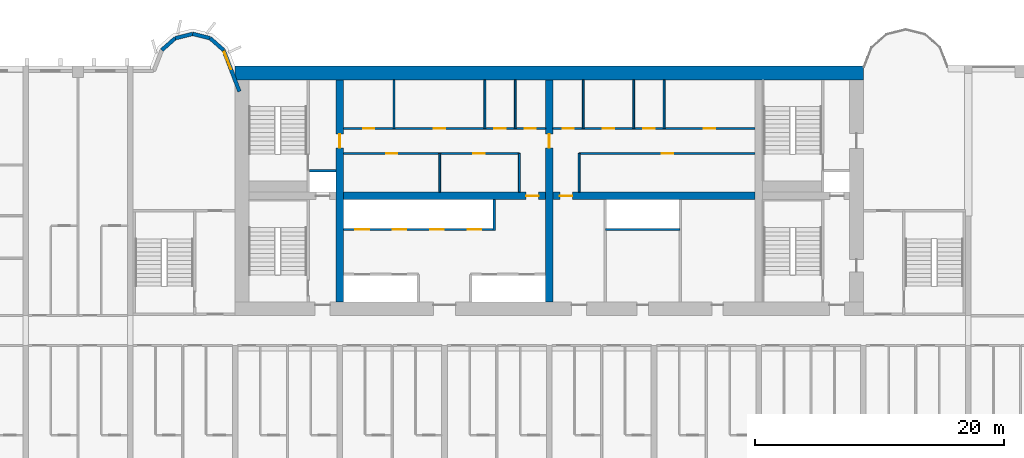
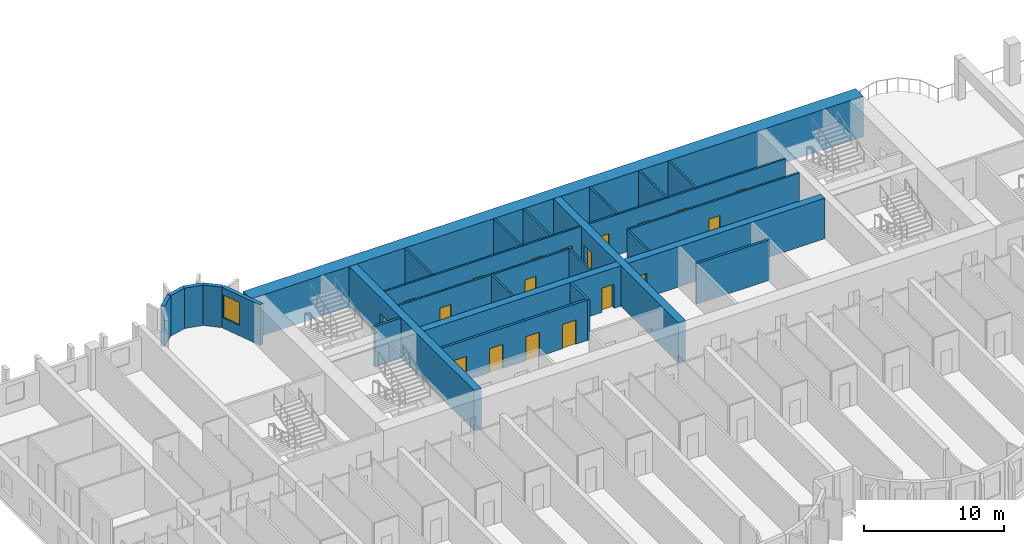
# One storey, part 7 of 14: 27 walls, 19 doors, 1 window, 20 openings.
"""IFC4 building model written with IfcOpenShell, lengths in metres."""

from ifc_helpers import new_model, si_unit, direction, frame, frame_2d, origin, place, context, subcontext, project, spatial, rectangle, extrude, source, transform, mapped, material, layer, layer_set, type_object, element, fill, save


model = new_model("IFC4")

# Units and contexts
model_context = context("Model", 3, precision=1e-05, world=origin(), true_north=direction((0.0, 1.0)))
body_context = subcontext(model_context, "Body", "Model", "MODEL_VIEW")
ifc_project = project(units=[si_unit("LENGTHUNIT", "METRE"), si_unit("AREAUNIT", "SQUARE_METRE"), si_unit("VOLUMEUNIT", "CUBIC_METRE"), si_unit("PLANEANGLEUNIT", "RADIAN"), si_unit("MASSUNIT", "GRAM", prefix="KILO")], contexts=[model_context])

# Site, building, storey
site_placement = place(None, origin())
site = spatial("IfcSite", under=ifc_project, at=site_placement, CompositionType="ELEMENT")
building_placement = place(site_placement, origin())
building = spatial("IfcBuilding", under=site, at=building_placement, Name="Vanashikhar Sky Hotel", CompositionType="ELEMENT")
storey_placement = place(building_placement, frame((0.0, 0.0, 27.800048828125)))
storey = spatial("IfcBuildingStorey", under=building, at=storey_placement, Name="L05", CompositionType="ELEMENT", Elevation=27.800048828125)

# Wall
ifc_material_1 = material(Name="Concrete M80", Category="concrete")
ifc_layer_1 = layer(ifc_material_1, 1.10009765625)
ifc_layer_set_1 = layer_set([ifc_layer_1], Name="RC core shell wall 1100 Concrete M80")
wall_type_1 = type_object("IfcWallType", Name="RC core shell wall 1100 Concrete M80", PredefinedType="SHEAR", material=ifc_layer_set_1)
shared_shape_1 = source(origin(), body_context, "Body", "SweptSolid", [
    extrude(rectangle(XDim=50.400146484375, YDim=1.10009765625, at=frame_2d((25.2001953125, 0.0))), origin(), (0.0, 0.0, 1.0), 3.52001953125),
])
wall_1_placement = place(storey_placement, frame((25.199951171875, 41.449951171875, 0.0), z_axis=(0.0, 0.0, 1.0), x_axis=(1.0, 0.0, 0.0)))
element("IfcWall", 1, at=wall_1_placement, inside=storey, type_object=wall_type_1, Name="KW-L05-KN", PredefinedType="SHEAR", context=body_context, shape_type="MappedRepresentation", body=[
    mapped(shared_shape_1, transform((0.0, 0.0, 0.0), scale=1.0)),
])

# Wall, opening, door
ifc_layer_2 = layer(ifc_material_1, 0.60009765625)
ifc_layer_set_2 = layer_set([ifc_layer_2], Name="RC core inner wall 600 Concrete M80")
wall_type_2 = type_object("IfcWallType", Name="RC core inner wall 600 Concrete M80", PredefinedType="SHEAR", material=ifc_layer_set_2)
shared_shape_2 = source(origin(), body_context, "Body", "SweptSolid", [
    extrude(rectangle(XDim=17.7998046875, YDim=0.60009765625, at=frame_2d((8.89990234375, 0.0))), origin(), (0.0, 0.0, 1.0), 3.52001953125),
])
wall_2_placement = place(storey_placement, frame((33.60009765625, 23.10009765625, 0.0), z_axis=(0.0, 0.0, 1.0), x_axis=(0.0, 1.0, 0.0)))
wall_2 = element("IfcWall", 2, at=wall_2_placement, inside=storey, type_object=wall_type_2, Name="KW-L05-KX1", PredefinedType="SHEAR", context=body_context, shape_type="MappedRepresentation", body=[
    mapped(shared_shape_2, transform((0.0, 0.0, 0.0), scale=1.0)),
])
shared_shape_3 = source(origin(), body_context, "Body", "SweptSolid", [
    extrude(rectangle(XDim=1.10009765625, YDim=2.10009765625, at=frame_2d((0.550048828125, 1.050048828125))), frame((0.0, 0.31005859375, 0.0), z_axis=(0.0, -1.0, 0.0), x_axis=(1.0, 0.0, 0.0)), (0.0, 0.0, 1.0), 0.6201171875),
])
opening_1_placement = place(wall_2_placement, frame((12.35009765625, 0.0, 0.0)))
opening_1 = element("IfcOpeningElement", 3, at=opening_1_placement, cuts=wall_2, Name="Opening DC-4-C", PredefinedType="OPENING", context=body_context, shape_type="MappedRepresentation", body=[
    mapped(shared_shape_3, transform((0.0, 0.0, 0.0), scale=1.0)),
])
ifc_material_2 = material(Name="Steel", Category="steel")
door_type_1 = type_object("IfcDoorType", Name="Service door 1100 FD60", OperationType="NOTDEFINED", PredefinedType="DOOR", material=ifc_material_2)
shared_shape_4 = source(origin(), body_context, "Body", "SweptSolid", [
    extrude(rectangle(XDim=1.10009765625, YDim=2.10009765625, at=frame_2d((0.550048828125, 1.050048828125))), frame((0.0, 0.02490234375, 0.0), z_axis=(0.0, -1.0, 0.0), x_axis=(1.0, 0.0, 0.0)), (0.0, 0.0, 1.0), 0.050048828125),
])
door_1_placement = place(opening_1_placement, origin())
door_1 = element("IfcDoor", 4, at=door_1_placement, inside=storey, type_object=door_type_1, Name="Service door 1100 FD60", OperationType="SINGLE_SWING_RIGHT", OverallHeight=2.10009765625, OverallWidth=1.10009765625, PredefinedType="DOOR", context=body_context, shape_type="MappedRepresentation", body=[
    mapped(shared_shape_4, transform((0.0, 0.0, 0.0), scale=1.0)),
])
fill(opening_1, door_1)

wall_3_placement = place(storey_placement, frame((50.39990234375, 23.10009765625, 0.0), z_axis=(0.0, 0.0, 1.0), x_axis=(0.0, 1.0, 0.0)))
wall_3 = element("IfcWall", 5, at=wall_3_placement, inside=storey, type_object=wall_type_2, Name="KW-L05-KX2", PredefinedType="SHEAR", context=body_context, shape_type="MappedRepresentation", body=[
    mapped(shared_shape_2, transform((0.0, 0.0, 0.0), scale=1.0)),
])
opening_2_placement = place(wall_3_placement, frame((12.35009765625, 0.0, 0.0)))
opening_2 = element("IfcOpeningElement", 6, at=opening_2_placement, cuts=wall_3, Name="Opening DC-4-C", PredefinedType="OPENING", context=body_context, shape_type="MappedRepresentation", body=[
    mapped(shared_shape_3, transform((0.0, 0.0, 0.0), scale=1.0)),
])
door_2_placement = place(opening_2_placement, origin())
door_2 = element("IfcDoor", 7, at=door_2_placement, inside=storey, type_object=door_type_1, Name="Service door 1100 FD60", OperationType="SINGLE_SWING_LEFT", OverallHeight=2.10009765625, OverallWidth=1.10009765625, PredefinedType="DOOR", context=body_context, shape_type="MappedRepresentation", body=[
    mapped(shared_shape_4, transform((0.0, 0.0, 0.0), scale=1.0)),
])
fill(opening_2, door_2)

shared_shape_5 = source(origin(), body_context, "Body", "SweptSolid", [
    extrude(rectangle(XDim=16.2001953125, YDim=0.60009765625, at=frame_2d((8.10009765625, 0.0))), origin(), (0.0, 0.0, 1.0), 3.52001953125),
])
wall_4_placement = place(storey_placement, frame((33.89990234375, 31.60009765625, 0.0), z_axis=(0.0, 0.0, 1.0), x_axis=(1.0, 0.0, 0.0)))
wall_4 = element("IfcWall", 8, at=wall_4_placement, inside=storey, type_object=wall_type_2, Name="KW-L05-KY2", PredefinedType="SHEAR", context=body_context, shape_type="MappedRepresentation", body=[
    mapped(shared_shape_5, transform((0.0, 0.0, 0.0), scale=1.0)),
])
shared_shape_6 = source(origin(), body_context, "Body", "SweptSolid", [
    extrude(rectangle(XDim=1.0, YDim=2.10009765625, at=frame_2d((0.5, 1.050048828125))), frame((0.0, 0.31005859375, 0.0), z_axis=(0.0, -1.0, 0.0), x_axis=(1.0, 0.0, 0.0)), (0.0, 0.0, 1.0), 0.6201171875),
])
opening_3_placement = place(wall_4_placement, frame((14.64990234375, 0.0, 0.0)))
opening_3 = element("IfcOpeningElement", 9, at=opening_3_placement, cuts=wall_4, Name="Opening DC-4", PredefinedType="OPENING", context=body_context, shape_type="MappedRepresentation", body=[
    mapped(shared_shape_6, transform((0.0, 0.0, 0.0), scale=1.0)),
])
door_type_2 = type_object("IfcDoorType", Name="Service door 1000 FD60", OperationType="NOTDEFINED", PredefinedType="DOOR", material=ifc_material_2)
shared_shape_7 = source(origin(), body_context, "Body", "SweptSolid", [
    extrude(rectangle(XDim=1.0, YDim=2.10009765625, at=frame_2d((0.5, 1.050048828125))), frame((0.0, 0.02490234375, 0.0), z_axis=(0.0, -1.0, 0.0), x_axis=(1.0, 0.0, 0.0)), (0.0, 0.0, 1.0), 0.050048828125),
])
door_3_placement = place(opening_3_placement, origin())
door_3 = element("IfcDoor", 10, at=door_3_placement, inside=storey, type_object=door_type_2, Name="Service door 1000 FD60", OperationType="SINGLE_SWING_RIGHT", OverallHeight=2.10009765625, OverallWidth=1.0, PredefinedType="DOOR", context=body_context, shape_type="MappedRepresentation", body=[
    mapped(shared_shape_7, transform((0.0, 0.0, 0.0), scale=1.0)),
])
fill(opening_3, door_3)

shared_shape_8 = source(origin(), body_context, "Body", "SweptSolid", [
    extrude(rectangle(XDim=16.199951171875, YDim=0.60009765625, at=frame_2d((8.10009765625, 0.0))), origin(), (0.0, 0.0, 1.0), 3.52001953125),
])
wall_5_placement = place(storey_placement, frame((50.699951171875, 31.60009765625, 0.0), z_axis=(0.0, 0.0, 1.0), x_axis=(1.0, 0.0, 0.0)))
wall_5 = element("IfcWall", 11, at=wall_5_placement, inside=storey, type_object=wall_type_2, Name="KW-L05-KY3", PredefinedType="SHEAR", context=body_context, shape_type="MappedRepresentation", body=[
    mapped(shared_shape_8, transform((0.0, 0.0, 0.0), scale=1.0)),
])
opening_4_placement = place(wall_5_placement, frame((0.550048828125, 0.0, 0.0)))
opening_4 = element("IfcOpeningElement", 12, at=opening_4_placement, cuts=wall_5, Name="Opening DC-4", PredefinedType="OPENING", context=body_context, shape_type="MappedRepresentation", body=[
    mapped(shared_shape_6, transform((0.0, 0.0, 0.0), scale=1.0)),
])
door_4_placement = place(opening_4_placement, origin())
door_4 = element("IfcDoor", 13, at=door_4_placement, inside=storey, type_object=door_type_2, Name="Service door 1000 FD60", OperationType="SINGLE_SWING_RIGHT", OverallHeight=2.10009765625, OverallWidth=1.0, PredefinedType="DOOR", context=body_context, shape_type="MappedRepresentation", body=[
    mapped(shared_shape_7, transform((0.0, 0.0, 0.0), scale=1.0)),
])
fill(opening_4, door_4)

# Wall, opening, window
ifc_material_3 = material(Name="Concrete M50", Category="concrete")
ifc_layer_3 = layer(ifc_material_3, 0.300048828125)
ifc_layer_set_3 = layer_set([ifc_layer_3], Name="Lobe wall 300")
wall_type_3 = type_object("IfcWallType", Name="Lobe wall 300", PredefinedType="SOLIDWALL", material=ifc_layer_set_3)
shared_shape_9 = source(origin(), body_context, "Body", "SweptSolid", [
    extrude(rectangle(XDim=3.55908203125, YDim=0.300048828125, at=frame_2d((1.779541015625, 0.0))), origin(), (0.0, 0.0, 1.0), 3.52001953125),
])
wall_6_placement = place(storey_placement, frame((25.550048828125, 39.968505859375, 0.0), z_axis=(0.0, 0.0, 1.0), x_axis=(-0.35779745313, 0.933799219604, 0.0)))
wall_6 = element("IfcWall", 14, at=wall_6_placement, inside=storey, type_object=wall_type_3, Name="Lobe wall", PredefinedType="SOLIDWALL", context=body_context, shape_type="MappedRepresentation", body=[
    mapped(shared_shape_9, transform((0.0, 0.0, 0.0), scale=1.0)),
])
shared_shape_10 = source(origin(), body_context, "Body", "SweptSolid", [
    extrude(rectangle(XDim=1.5, YDim=2.0, at=frame_2d((0.75, 1.0))), frame((0.0, 0.16015625, 0.0), z_axis=(0.0, -1.0, 0.0), x_axis=(1.0, 0.0, 0.0)), (0.0, 0.0, 1.0), 0.320068359375),
])
opening_5_placement = place(wall_6_placement, frame((1.9033203125, 0.0, 0.89990234375)))
opening_5 = element("IfcOpeningElement", 15, at=opening_5_placement, cuts=wall_6, Name="Opening WN-2", PredefinedType="OPENING", context=body_context, shape_type="MappedRepresentation", body=[
    mapped(shared_shape_10, transform((0.0, 0.0, 0.0), scale=1.0)),
])
ifc_material_4 = material(Name="Glass", Category="glass")
window_type = type_object("IfcWindowType", Name="Lobe window 1500 x 2000", PartitioningType="SINGLE_PANEL", PredefinedType="WINDOW", material=ifc_material_4)
shared_shape_11 = source(origin(), body_context, "Body", "SweptSolid", [
    extrude(rectangle(XDim=1.5, YDim=2.0, at=frame_2d((0.75, 1.0))), frame((0.0, 0.030029296875, 0.0), z_axis=(0.0, -1.0, 0.0), x_axis=(1.0, 0.0, 0.0)), (0.0, 0.0, 1.0), 0.06005859375),
])
window_placement = place(opening_5_placement, origin())
window = element("IfcWindow", 16, at=window_placement, inside=storey, type_object=window_type, Name="Window WN-2", OverallHeight=2.0, OverallWidth=1.5, PartitioningType="SINGLE_PANEL", PredefinedType="WINDOW", context=body_context, shape_type="MappedRepresentation", body=[
    mapped(shared_shape_11, transform((0.0, 0.0, 0.0), scale=1.0)),
])
fill(opening_5, window)

# Walls
shared_shape_12 = source(origin(), body_context, "Body", "SweptSolid", [
    extrude(rectangle(XDim=1.440185546875, YDim=0.300048828125, at=frame_2d((0.72021484375, 0.0))), origin(), (0.0, 0.0, 1.0), 3.52001953125),
])
wall_7_placement = place(storey_placement, frame((24.276611328125, 43.2919921875, 0.0), z_axis=(0.0, 0.0, 1.0), x_axis=(-0.749649827867, 0.661834673902, 0.0)))
element("IfcWall", 17, at=wall_7_placement, inside=storey, type_object=wall_type_3, Name="Lobe wall", PredefinedType="SOLIDWALL", context=body_context, shape_type="MappedRepresentation", body=[
    mapped(shared_shape_12, transform((0.0, 0.0, 0.0), scale=1.0)),
])
shared_shape_13 = source(origin(), body_context, "Body", "SweptSolid", [
    extrude(rectangle(XDim=1.4384765625, YDim=0.300048828125, at=frame_2d((0.71923828125, 0.0))), origin(), (0.0, 0.0, 1.0), 3.52001953125),
])
wall_8_placement = place(storey_placement, frame((23.197021484375, 44.2451171875, 0.0), z_axis=(0.0, 0.0, 1.0), x_axis=(-0.971152283879, 0.238460146601, 0.0)))
element("IfcWall", 18, at=wall_8_placement, inside=storey, type_object=wall_type_3, Name="Lobe wall", PredefinedType="SOLIDWALL", context=body_context, shape_type="MappedRepresentation", body=[
    mapped(shared_shape_13, transform((0.0, 0.0, 0.0), scale=1.0)),
])
shared_shape_14 = source(origin(), body_context, "Body", "SweptSolid", [
    extrude(rectangle(XDim=1.438720703125, YDim=0.300048828125, at=frame_2d((0.71923828125, 0.0))), origin(), (0.0, 0.0, 1.0), 3.52001953125),
])
wall_9_placement = place(storey_placement, frame((21.800048828125, 44.588134765625, 0.0), z_axis=(0.0, 0.0, 1.0), x_axis=(-0.971161932466, -0.238420848351, 0.0)))
element("IfcWall", 19, at=wall_9_placement, inside=storey, type_object=wall_type_3, Name="Lobe wall", PredefinedType="SOLIDWALL", context=body_context, shape_type="MappedRepresentation", body=[
    mapped(shared_shape_14, transform((0.0, 0.0, 0.0), scale=1.0)),
])
shared_shape_15 = source(origin(), body_context, "Body", "SweptSolid", [
    extrude(rectangle(XDim=1.43994140625, YDim=0.300048828125, at=frame_2d((0.719970703125, 0.0))), origin(), (0.0, 0.0, 1.0), 3.52001953125),
])
wall_10_placement = place(storey_placement, frame((20.40283203125, 44.2451171875, 0.0), z_axis=(0.0, 0.0, 1.0), x_axis=(-0.74957555648, -0.661918790432, 0.0)))
element("IfcWall", 20, at=wall_10_placement, inside=storey, type_object=wall_type_3, Name="Lobe wall", PredefinedType="SOLIDWALL", context=body_context, shape_type="MappedRepresentation", body=[
    mapped(shared_shape_15, transform((0.0, 0.0, 0.0), scale=1.0)),
])
ifc_material_5 = material(Name="Concrete M40", Category="concrete")
ifc_layer_4 = layer(ifc_material_5, 0.199951171875)
ifc_layer_set_4 = layer_set([ifc_layer_4], Name="Shaft wall 200")
wall_type_4 = type_object("IfcWallType", Name="Shaft wall 200", PredefinedType="SOLIDWALL", material=ifc_layer_set_4)
shared_shape_16 = source(origin(), body_context, "Body", "SweptSolid", [
    extrude(rectangle(XDim=6.0, YDim=0.199951171875, at=frame_2d((3.0, 0.0))), origin(), (0.0, 0.0, 1.0), 3.52001953125),
])
wall_11_placement = place(storey_placement, frame((60.89990234375, 28.89990234375, 0.0), z_axis=(0.0, 0.0, 1.0), x_axis=(-1.0, 0.0, 0.0)))
element("IfcWall", 21, at=wall_11_placement, inside=storey, type_object=wall_type_4, Name="Shaft wall 200", PredefinedType="SOLIDWALL", context=body_context, shape_type="MappedRepresentation", body=[
    mapped(shared_shape_16, transform((0.0, 0.0, 0.0), scale=1.0)),
])

# Wall, openings, doors
shared_shape_17 = source(origin(), body_context, "Body", "SweptSolid", [
    extrude(rectangle(XDim=12.0, YDim=0.199951171875, at=frame_2d((6.0, 0.0))), origin(), (0.0, 0.0, 1.0), 3.52001953125),
])
wall_12_placement = place(storey_placement, frame((33.89990234375, 28.89990234375, 0.0), z_axis=(0.0, 0.0, 1.0), x_axis=(1.0, 0.0, 0.0)))
wall_12 = element("IfcWall", 22, at=wall_12_placement, inside=storey, type_object=wall_type_4, Name="Shaft wall 200", PredefinedType="SOLIDWALL", context=body_context, shape_type="MappedRepresentation", body=[
    mapped(shared_shape_17, transform((0.0, 0.0, 0.0), scale=1.0)),
])
shared_shape_18 = source(origin(), body_context, "Body", "SweptSolid", [
    extrude(rectangle(XDim=1.10009765625, YDim=2.10009765625, at=frame_2d((0.550048828125, 1.050048828125))), frame((0.0, 0.10986328125, 0.0), z_axis=(0.0, -1.0, 0.0), x_axis=(1.0, 0.0, 0.0)), (0.0, 0.0, 1.0), 0.219970703125),
])
opening_6_placement = place(wall_12_placement, frame((0.949951171875, 0.0, 0.0)))
opening_6 = element("IfcOpeningElement", 23, at=opening_6_placement, cuts=wall_12, Name="Opening LD", PredefinedType="OPENING", context=body_context, shape_type="MappedRepresentation", body=[
    mapped(shared_shape_18, transform((0.0, 0.0, 0.0), scale=1.0)),
])
opening_7_placement = place(wall_12_placement, frame((3.949951171875, 0.0, 0.0)))
opening_7 = element("IfcOpeningElement", 24, at=opening_7_placement, cuts=wall_12, Name="Opening LD", PredefinedType="OPENING", context=body_context, shape_type="MappedRepresentation", body=[
    mapped(shared_shape_18, transform((0.0, 0.0, 0.0), scale=1.0)),
])
opening_8_placement = place(wall_12_placement, frame((6.949951171875, 0.0, 0.0)))
opening_8 = element("IfcOpeningElement", 25, at=opening_8_placement, cuts=wall_12, Name="Opening LD", PredefinedType="OPENING", context=body_context, shape_type="MappedRepresentation", body=[
    mapped(shared_shape_18, transform((0.0, 0.0, 0.0), scale=1.0)),
])
opening_9_placement = place(wall_12_placement, frame((9.949951171875, 0.0, 0.0)))
opening_9 = element("IfcOpeningElement", 26, at=opening_9_placement, cuts=wall_12, Name="Opening LD", PredefinedType="OPENING", context=body_context, shape_type="MappedRepresentation", body=[
    mapped(shared_shape_18, transform((0.0, 0.0, 0.0), scale=1.0)),
])
ifc_material_6 = material(Name="Stainless steel", Category="steel")
door_type_3 = type_object("IfcDoorType", Name="Lift landing door 1100", OperationType="NOTDEFINED", PredefinedType="DOOR", material=ifc_material_6)
door_5_placement = place(opening_6_placement, origin())
door_5 = element("IfcDoor", 27, at=door_5_placement, inside=storey, type_object=door_type_3, Name="Lift landing door 1100", OperationType="SLIDING_TO_LEFT", OverallHeight=2.10009765625, OverallWidth=1.10009765625, PredefinedType="DOOR", context=body_context, shape_type="MappedRepresentation", body=[
    mapped(shared_shape_4, transform((0.0, 0.0, 0.0), scale=1.0)),
])
fill(opening_6, door_5)
door_6_placement = place(opening_7_placement, origin())
door_6 = element("IfcDoor", 28, at=door_6_placement, inside=storey, type_object=door_type_3, Name="Lift landing door 1100", OperationType="SLIDING_TO_RIGHT", OverallHeight=2.10009765625, OverallWidth=1.10009765625, PredefinedType="DOOR", context=body_context, shape_type="MappedRepresentation", body=[
    mapped(shared_shape_4, transform((0.0, 0.0, 0.0), scale=1.0)),
])
fill(opening_7, door_6)
door_7_placement = place(opening_8_placement, origin())
door_7 = element("IfcDoor", 29, at=door_7_placement, inside=storey, type_object=door_type_3, Name="Lift landing door 1100", OperationType="SLIDING_TO_LEFT", OverallHeight=2.10009765625, OverallWidth=1.10009765625, PredefinedType="DOOR", context=body_context, shape_type="MappedRepresentation", body=[
    mapped(shared_shape_4, transform((0.0, 0.0, 0.0), scale=1.0)),
])
fill(opening_8, door_7)
door_8_placement = place(opening_9_placement, origin())
door_8 = element("IfcDoor", 30, at=door_8_placement, inside=storey, type_object=door_type_3, Name="Lift landing door 1100", OperationType="SLIDING_TO_RIGHT", OverallHeight=2.10009765625, OverallWidth=1.10009765625, PredefinedType="DOOR", context=body_context, shape_type="MappedRepresentation", body=[
    mapped(shared_shape_4, transform((0.0, 0.0, 0.0), scale=1.0)),
])
fill(opening_9, door_8)

# Walls
shared_shape_19 = source(origin(), body_context, "Body", "SweptSolid", [
    extrude(rectangle(XDim=2.5, YDim=0.199951171875, at=frame_2d((1.25, 0.0))), origin(), (0.0, 0.0, 1.0), 3.52001953125),
])
wall_13_placement = place(storey_placement, frame((46.0, 28.800048828125, 0.0), z_axis=(0.0, 0.0, 1.0), x_axis=(0.0, 1.0, 0.0)))
element("IfcWall", 31, at=wall_13_placement, inside=storey, type_object=wall_type_4, Name="Shaft wall 200", PredefinedType="SOLIDWALL", context=body_context, shape_type="MappedRepresentation", body=[
    mapped(shared_shape_19, transform((0.0, 0.0, 0.0), scale=1.0)),
])
ifc_material_7 = material(Name="Gypsum board partition")
ifc_layer_5 = layer(ifc_material_7, 0.14990234375)
ifc_layer_set_5 = layer_set([ifc_layer_5], Name="Service partition 150")
wall_type_5 = type_object("IfcWallType", Name="Service partition 150", PredefinedType="PARTITIONING", material=ifc_layer_set_5)
shared_shape_20 = source(origin(), body_context, "Body", "SweptSolid", [
    extrude(rectangle(XDim=3.10009765625, YDim=0.14990234375, at=frame_2d((1.550048828125, 0.0))), origin(), (0.0, 0.0, 1.0), 3.52001953125),
])
for number, where, z_axis, x_axis, name in (
    (32, (48.0, 31.89990234375, 0.0), (0.0, 0.0, 1.0), (0.0, 1.0, 0.0), "Service partition 150"),
    (33, (41.614013671875, 31.89990234375, 0.0), (0.0, 0.0, 1.0), (0.0, 1.0, 0.0), "Service partition 150"),
    (34, (52.800048828125, 31.89990234375, 0.0), (0.0, 0.0, 1.0), (0.0, 1.0, 0.0), "Service partition 150"),
):
    element("IfcWall", number, at=place(storey_placement, frame(where, z_axis=z_axis, x_axis=x_axis)), inside=storey, type_object=wall_type_5, Name=name, PredefinedType="PARTITIONING", context=body_context, shape_type="MappedRepresentation", body=[
        mapped(shared_shape_20, transform((0.0, 0.0, 0.0), scale=1.0)),
    ])

# Wall, openings, doors
shared_shape_21 = source(origin(), body_context, "Body", "SweptSolid", [
    extrude(rectangle(XDim=14.10009765625, YDim=0.14990234375, at=frame_2d((7.050048828125, 0.0))), origin(), (0.0, 0.0, 1.0), 3.52001953125),
])
wall_14_placement = place(storey_placement, frame((33.89990234375, 35.0, 0.0), z_axis=(0.0, 0.0, 1.0), x_axis=(1.0, 0.0, 0.0)))
wall_14 = element("IfcWall", 35, at=wall_14_placement, inside=storey, type_object=wall_type_5, Name="Service partition 150", PredefinedType="PARTITIONING", context=body_context, shape_type="MappedRepresentation", body=[
    mapped(shared_shape_21, transform((0.0, 0.0, 0.0), scale=1.0)),
])
shared_shape_22 = source(origin(), body_context, "Body", "SweptSolid", [
    extrude(rectangle(XDim=0.89990234375, YDim=2.10009765625, at=frame_2d((0.449951171875, 1.050048828125))), frame((0.0, 0.0849609375, 0.0), z_axis=(0.0, -1.0, 0.0), x_axis=(1.0, 0.0, 0.0)), (0.0, 0.0, 1.0), 0.169921875),
])
opening_10_placement = place(wall_14_placement, frame((3.406982421875, 0.0, 0.0)))
opening_10 = element("IfcOpeningElement", 36, at=opening_10_placement, cuts=wall_14, Name="Opening DC-4-A", PredefinedType="OPENING", context=body_context, shape_type="MappedRepresentation", body=[
    mapped(shared_shape_22, transform((0.0, 0.0, 0.0), scale=1.0)),
])
opening_11_placement = place(wall_14_placement, frame((10.4189453125, 0.0, 0.0)))
opening_11 = element("IfcOpeningElement", 37, at=opening_11_placement, cuts=wall_14, Name="Opening DC-4-A", PredefinedType="OPENING", context=body_context, shape_type="MappedRepresentation", body=[
    mapped(shared_shape_22, transform((0.0, 0.0, 0.0), scale=1.0)),
])
door_type_4 = type_object("IfcDoorType", Name="Service door 900 FD60", OperationType="NOTDEFINED", PredefinedType="DOOR", material=ifc_material_2)
shared_shape_23 = source(origin(), body_context, "Body", "SweptSolid", [
    extrude(rectangle(XDim=0.89990234375, YDim=2.10009765625, at=frame_2d((0.449951171875, 1.050048828125))), frame((0.0, 0.02490234375, 0.0), z_axis=(0.0, -1.0, 0.0), x_axis=(1.0, 0.0, 0.0)), (0.0, 0.0, 1.0), 0.050048828125),
])
door_9_placement = place(opening_10_placement, origin())
door_9 = element("IfcDoor", 38, at=door_9_placement, inside=storey, type_object=door_type_4, Name="Service door 900 FD60", OperationType="SINGLE_SWING_LEFT", OverallHeight=2.10009765625, OverallWidth=0.89990234375, PredefinedType="DOOR", context=body_context, shape_type="MappedRepresentation", body=[
    mapped(shared_shape_23, transform((0.0, 0.0, 0.0), scale=1.0)),
])
fill(opening_10, door_9)
door_10_placement = place(opening_11_placement, origin())
door_10 = element("IfcDoor", 39, at=door_10_placement, inside=storey, type_object=door_type_4, Name="Service door 900 FD60", OperationType="SINGLE_SWING_RIGHT", OverallHeight=2.10009765625, OverallWidth=0.89990234375, PredefinedType="DOOR", context=body_context, shape_type="MappedRepresentation", body=[
    mapped(shared_shape_23, transform((0.0, 0.0, 0.0), scale=1.0)),
])
fill(opening_11, door_10)

shared_shape_24 = source(origin(), body_context, "Body", "SweptSolid", [
    extrude(rectangle(XDim=16.2001953125, YDim=0.14990234375, at=frame_2d((8.10009765625, 0.0))), origin(), (0.0, 0.0, 1.0), 3.52001953125),
])
wall_15_placement = place(storey_placement, frame((33.89990234375, 37.0, 0.0), z_axis=(0.0, 0.0, 1.0), x_axis=(1.0, 0.0, 0.0)))
wall_15 = element("IfcWall", 40, at=wall_15_placement, inside=storey, type_object=wall_type_5, Name="Service partition 150", PredefinedType="PARTITIONING", context=body_context, shape_type="MappedRepresentation", body=[
    mapped(shared_shape_24, transform((0.0, 0.0, 0.0), scale=1.0)),
])
opening_12_placement = place(wall_15_placement, frame((1.574951171875, 0.0, 0.0)))
opening_12 = element("IfcOpeningElement", 41, at=opening_12_placement, cuts=wall_15, Name="Opening DC-4-A", PredefinedType="OPENING", context=body_context, shape_type="MappedRepresentation", body=[
    mapped(shared_shape_22, transform((0.0, 0.0, 0.0), scale=1.0)),
])
opening_13_placement = place(wall_15_placement, frame((7.2451171875, 0.0, 0.0)))
opening_13 = element("IfcOpeningElement", 42, at=opening_13_placement, cuts=wall_15, Name="Opening DC-4-A", PredefinedType="OPENING", context=body_context, shape_type="MappedRepresentation", body=[
    mapped(shared_shape_22, transform((0.0, 0.0, 0.0), scale=1.0)),
])
opening_14_placement = place(wall_15_placement, frame((12.10498046875, 0.0, 0.0)))
opening_14 = element("IfcOpeningElement", 43, at=opening_14_placement, cuts=wall_15, Name="Opening DC-4-A", PredefinedType="OPENING", context=body_context, shape_type="MappedRepresentation", body=[
    mapped(shared_shape_22, transform((0.0, 0.0, 0.0), scale=1.0)),
])
opening_15_placement = place(wall_15_placement, frame((14.534912109375, 0.0, 0.0)))
opening_15 = element("IfcOpeningElement", 44, at=opening_15_placement, cuts=wall_15, Name="Opening DC-4-A", PredefinedType="OPENING", context=body_context, shape_type="MappedRepresentation", body=[
    mapped(shared_shape_22, transform((0.0, 0.0, 0.0), scale=1.0)),
])
door_11_placement = place(opening_12_placement, origin())
door_11 = element("IfcDoor", 45, at=door_11_placement, inside=storey, type_object=door_type_4, Name="Service door 900 FD60", OperationType="SINGLE_SWING_RIGHT", OverallHeight=2.10009765625, OverallWidth=0.89990234375, PredefinedType="DOOR", context=body_context, shape_type="MappedRepresentation", body=[
    mapped(shared_shape_23, transform((0.0, 0.0, 0.0), scale=1.0)),
])
fill(opening_12, door_11)
door_12_placement = place(opening_13_placement, origin())
door_12 = element("IfcDoor", 46, at=door_12_placement, inside=storey, type_object=door_type_4, Name="Service door 900 FD60", OperationType="SINGLE_SWING_RIGHT", OverallHeight=2.10009765625, OverallWidth=0.89990234375, PredefinedType="DOOR", context=body_context, shape_type="MappedRepresentation", body=[
    mapped(shared_shape_23, transform((0.0, 0.0, 0.0), scale=1.0)),
])
fill(opening_13, door_12)
door_13_placement = place(opening_14_placement, origin())
door_13 = element("IfcDoor", 47, at=door_13_placement, inside=storey, type_object=door_type_4, Name="Service door 900 FD60", OperationType="SINGLE_SWING_RIGHT", OverallHeight=2.10009765625, OverallWidth=0.89990234375, PredefinedType="DOOR", context=body_context, shape_type="MappedRepresentation", body=[
    mapped(shared_shape_23, transform((0.0, 0.0, 0.0), scale=1.0)),
])
fill(opening_14, door_13)
door_14_placement = place(opening_15_placement, origin())
door_14 = element("IfcDoor", 48, at=door_14_placement, inside=storey, type_object=door_type_4, Name="Service door 900 FD60", OperationType="SINGLE_SWING_LEFT", OverallHeight=2.10009765625, OverallWidth=0.89990234375, PredefinedType="DOOR", context=body_context, shape_type="MappedRepresentation", body=[
    mapped(shared_shape_23, transform((0.0, 0.0, 0.0), scale=1.0)),
])
fill(opening_15, door_14)

# Walls
shared_shape_25 = source(origin(), body_context, "Body", "SweptSolid", [
    extrude(rectangle(XDim=3.89990234375, YDim=0.14990234375, at=frame_2d((1.949951171875, 0.0))), origin(), (0.0, 0.0, 1.0), 3.52001953125),
])
for number, where, z_axis, x_axis, name in (
    (49, (37.949951171875, 37.0, 0.0), (0.0, 0.0, 1.0), (0.0, 1.0, 0.0), "Service partition 150"),
    (50, (45.239990234375, 37.0, 0.0), (0.0, 0.0, 1.0), (0.0, 1.0, 0.0), "Service partition 150"),
    (51, (47.669921875, 37.0, 0.0), (0.0, 0.0, 1.0), (0.0, 1.0, 0.0), "Service partition 150"),
    (52, (59.610107421875, 37.0, 0.0), (0.0, 0.0, 1.0), (0.0, 1.0, 0.0), "Service partition 150"),
    (53, (57.179931640625, 37.0, 0.0), (0.0, 0.0, 1.0), (0.0, 1.0, 0.0), "Service partition 150"),
    (54, (53.1298828125, 37.0, 0.0), (0.0, 0.0, 1.0), (0.0, 1.0, 0.0), "Service partition 150"),
):
    element("IfcWall", number, at=place(storey_placement, frame(where, z_axis=z_axis, x_axis=x_axis)), inside=storey, type_object=wall_type_5, Name=name, PredefinedType="PARTITIONING", context=body_context, shape_type="MappedRepresentation", body=[
        mapped(shared_shape_25, transform((0.0, 0.0, 0.0), scale=1.0)),
    ])

# Wall, opening, door
shared_shape_26 = source(origin(), body_context, "Body", "SweptSolid", [
    extrude(rectangle(XDim=14.099853515625, YDim=0.14990234375, at=frame_2d((7.0498046875, 0.0))), origin(), (0.0, 0.0, 1.0), 3.52001953125),
])
wall_16_placement = place(storey_placement, frame((66.89990234375, 35.0, 0.0), z_axis=(0.0, 0.0, 1.0), x_axis=(-1.0, 0.0, 0.0)))
wall_16 = element("IfcWall", 55, at=wall_16_placement, inside=storey, type_object=wall_type_5, Name="Service partition 150", PredefinedType="PARTITIONING", context=body_context, shape_type="MappedRepresentation", body=[
    mapped(shared_shape_26, transform((0.0, 0.0, 0.0), scale=1.0)),
])
opening_16_placement = place(wall_16_placement, frame((6.56201171875, 0.0, 0.0)))
opening_16 = element("IfcOpeningElement", 56, at=opening_16_placement, cuts=wall_16, Name="Opening DC-4-A", PredefinedType="OPENING", context=body_context, shape_type="MappedRepresentation", body=[
    mapped(shared_shape_22, transform((0.0, 0.0, 0.0), scale=1.0)),
])
door_15_placement = place(opening_16_placement, origin())
door_15 = element("IfcDoor", 57, at=door_15_placement, inside=storey, type_object=door_type_4, Name="Service door 900 FD60", OperationType="SINGLE_SWING_RIGHT", OverallHeight=2.10009765625, OverallWidth=0.89990234375, PredefinedType="DOOR", context=body_context, shape_type="MappedRepresentation", body=[
    mapped(shared_shape_23, transform((0.0, 0.0, 0.0), scale=1.0)),
])
fill(opening_16, door_15)

# Wall, openings, doors
shared_shape_27 = source(origin(), body_context, "Body", "SweptSolid", [
    extrude(rectangle(XDim=16.199951171875, YDim=0.14990234375, at=frame_2d((8.10009765625, 0.0))), origin(), (0.0, 0.0, 1.0), 3.52001953125),
])
wall_17_placement = place(storey_placement, frame((66.89990234375, 37.0, 0.0), z_axis=(0.0, 0.0, 1.0), x_axis=(-1.0, 0.0, 0.0)))
wall_17 = element("IfcWall", 58, at=wall_17_placement, inside=storey, type_object=wall_type_5, Name="Service partition 150", PredefinedType="PARTITIONING", context=body_context, shape_type="MappedRepresentation", body=[
    mapped(shared_shape_27, transform((0.0, 0.0, 0.0), scale=1.0)),
])
opening_17_placement = place(wall_17_placement, frame((3.195068359375, 0.0, 0.0)))
opening_17 = element("IfcOpeningElement", 59, at=opening_17_placement, cuts=wall_17, Name="Opening DC-4-A", PredefinedType="OPENING", context=body_context, shape_type="MappedRepresentation", body=[
    mapped(shared_shape_22, transform((0.0, 0.0, 0.0), scale=1.0)),
])
opening_18_placement = place(wall_17_placement, frame((8.054931640625, 0.0, 0.0)))
opening_18 = element("IfcOpeningElement", 60, at=opening_18_placement, cuts=wall_17, Name="Opening DC-4-A", PredefinedType="OPENING", context=body_context, shape_type="MappedRepresentation", body=[
    mapped(shared_shape_22, transform((0.0, 0.0, 0.0), scale=1.0)),
])
opening_19_placement = place(wall_17_placement, frame((11.294921875, 0.0, 0.0)))
opening_19 = element("IfcOpeningElement", 61, at=opening_19_placement, cuts=wall_17, Name="Opening DC-4-A", PredefinedType="OPENING", context=body_context, shape_type="MappedRepresentation", body=[
    mapped(shared_shape_22, transform((0.0, 0.0, 0.0), scale=1.0)),
])
opening_20_placement = place(wall_17_placement, frame((14.534912109375, 0.0, 0.0)))
opening_20 = element("IfcOpeningElement", 62, at=opening_20_placement, cuts=wall_17, Name="Opening DC-4-A", PredefinedType="OPENING", context=body_context, shape_type="MappedRepresentation", body=[
    mapped(shared_shape_22, transform((0.0, 0.0, 0.0), scale=1.0)),
])
door_16_placement = place(opening_17_placement, origin())
door_16 = element("IfcDoor", 63, at=door_16_placement, inside=storey, type_object=door_type_4, Name="Service door 900 FD60", OperationType="SINGLE_SWING_LEFT", OverallHeight=2.10009765625, OverallWidth=0.89990234375, PredefinedType="DOOR", context=body_context, shape_type="MappedRepresentation", body=[
    mapped(shared_shape_23, transform((0.0, 0.0, 0.0), scale=1.0)),
])
fill(opening_17, door_16)
door_17_placement = place(opening_18_placement, origin())
door_17 = element("IfcDoor", 64, at=door_17_placement, inside=storey, type_object=door_type_4, Name="Service door 900 FD60", OperationType="SINGLE_SWING_LEFT", OverallHeight=2.10009765625, OverallWidth=0.89990234375, PredefinedType="DOOR", context=body_context, shape_type="MappedRepresentation", body=[
    mapped(shared_shape_23, transform((0.0, 0.0, 0.0), scale=1.0)),
])
fill(opening_18, door_17)
door_18_placement = place(opening_19_placement, origin())
door_18 = element("IfcDoor", 65, at=door_18_placement, inside=storey, type_object=door_type_4, Name="Service door 900 FD60", OperationType="SINGLE_SWING_RIGHT", OverallHeight=2.10009765625, OverallWidth=0.89990234375, PredefinedType="DOOR", context=body_context, shape_type="MappedRepresentation", body=[
    mapped(shared_shape_23, transform((0.0, 0.0, 0.0), scale=1.0)),
])
fill(opening_19, door_18)
door_19_placement = place(opening_20_placement, origin())
door_19 = element("IfcDoor", 66, at=door_19_placement, inside=storey, type_object=door_type_4, Name="Service door 900 FD60", OperationType="SINGLE_SWING_RIGHT", OverallHeight=2.10009765625, OverallWidth=0.89990234375, PredefinedType="DOOR", context=body_context, shape_type="MappedRepresentation", body=[
    mapped(shared_shape_23, transform((0.0, 0.0, 0.0), scale=1.0)),
])
fill(opening_20, door_19)

# Wall
shared_shape_28 = source(origin(), body_context, "Body", "SweptSolid", [
    extrude(rectangle(XDim=2.150146484375, YDim=0.199951171875, at=frame_2d((1.0751953125, 0.0))), origin(), (0.0, 0.0, 1.0), 3.52001953125),
])
wall_18_placement = place(storey_placement, frame((31.14990234375, 33.60009765625, 0.0), z_axis=(0.0, 0.0, 1.0), x_axis=(1.0, 0.0, 0.0)))
element("IfcWall", 67, at=wall_18_placement, inside=storey, type_object=wall_type_4, Name="Shaft wall 200", PredefinedType="SOLIDWALL", context=body_context, shape_type="MappedRepresentation", body=[
    mapped(shared_shape_28, transform((0.0, 0.0, 0.0), scale=1.0)),
])

save(model, "model.ifc")
